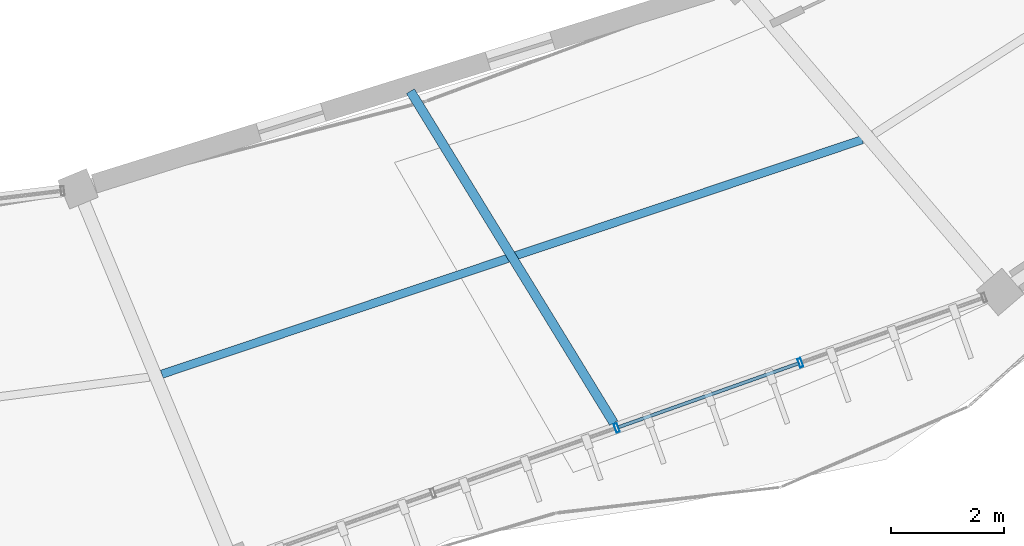
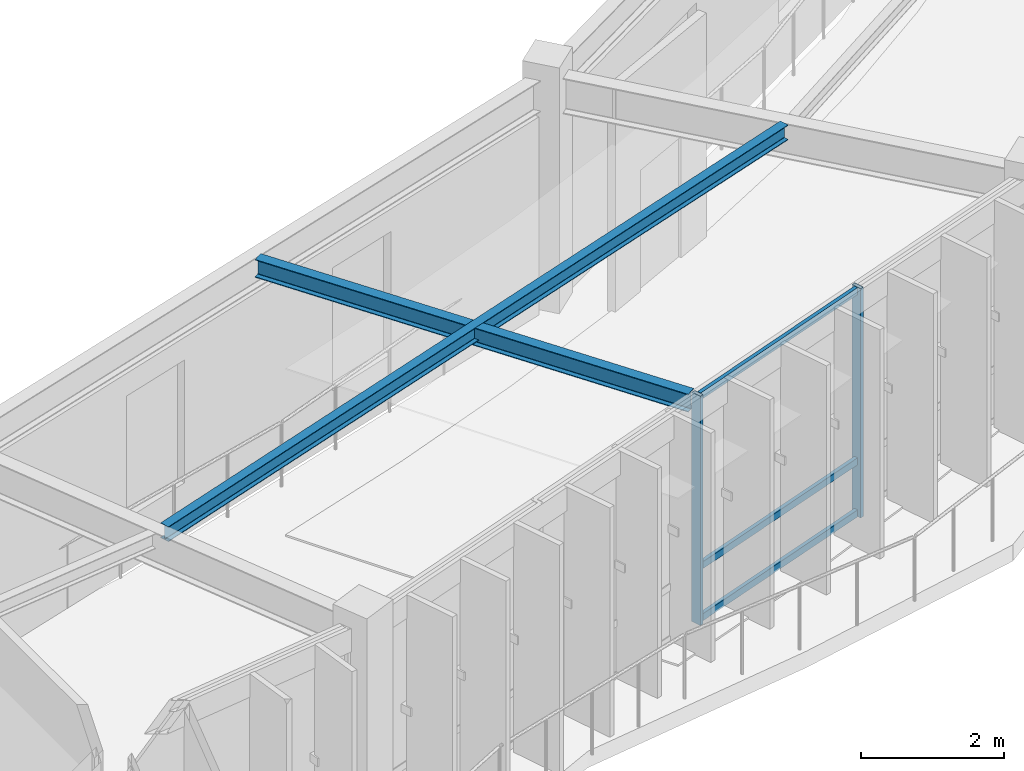
# One storey, part 34 of 83: 5 members, 2 beams, 1 element without a shape of its own.
"""IFC4 building model written with IfcOpenShell, lengths in metres."""

from ifc_helpers import new_model, si_unit, direction, frame, origin, origin_2d, place, context, subcontext, project, spatial, hollow_rectangle, i_section, extrude, material, material_profile, profile_set, type_object, element, aggregate, save


model = new_model("IFC4")

# Units and contexts
model_context = context("Model", 3, precision=1e-05, world=origin(), true_north=direction((0.0, 1.0)))
body_context = subcontext(model_context, "Body", "Model", "MODEL_VIEW")
ifc_project = project(units=[si_unit("LENGTHUNIT", "METRE"), si_unit("AREAUNIT", "SQUARE_METRE"), si_unit("VOLUMEUNIT", "CUBIC_METRE"), si_unit("PLANEANGLEUNIT", "RADIAN"), si_unit("MASSUNIT", "GRAM", prefix="KILO"), si_unit("THERMODYNAMICTEMPERATUREUNIT", "KELVIN"), si_unit("POWERUNIT", "WATT")], contexts=[model_context])

# Site, building, storey
site_placement = place(None, origin())
site = spatial("IfcSite", under=ifc_project, at=site_placement, CompositionType="ELEMENT")
building_placement = place(site_placement, origin())
building = spatial("IfcBuilding", under=site, at=building_placement, Name="Darbajah Civic Hall", CompositionType="ELEMENT")
storey_placement = place(building_placement, frame((0.0, 0.0, 18.0)))
storey = spatial("IfcBuildingStorey", under=building, at=storey_placement, Name="L04", CompositionType="ELEMENT", Elevation=18.0)

# Curtain wall, members
ifc_material_1 = material(Name="Anodised Bronze Aluminium and Low-E Glazing", Category="aluminium")
curtain_wall_type = type_object("IfcCurtainWallType", Name="Unitised Curtain Wall CW-62 13800x3900", PredefinedType="USERDEFINED", material=ifc_material_1)
curtain_wall_placement = place(storey_placement, origin())
curtain_wall = element("IfcCurtainWall", 1, at=curtain_wall_placement, inside=storey, type_object=curtain_wall_type, Name="L04 unitised curtain wall CW-V1O-L04-16", ObjectType="UNITISED CURTAIN WALL", PredefinedType="USERDEFINED")
ifc_material_2 = material(Name="Anodised Bronze Aluminium", Category="aluminium")
ifc_material_profile_1 = material_profile(ifc_material_2, hollow_rectangle(XDim=0.06005859375, YDim=0.159912109375, WallThickness=0.00341796875, at=origin_2d()), Name="ALU MULLION 60x160")
ifc_profile_set_1 = profile_set([ifc_material_profile_1], Name="Anodised Bronze Aluminium")
member_type_1 = type_object("IfcMemberType", Name="ALU MULLION 60x160", PredefinedType="MULLION", material=ifc_profile_set_1)
member_1_placement = place(storey_placement, frame((115.41943359375, 64.956787109375, 0.0), z_axis=(0.0, 0.0, 1.0), x_axis=(0.94252491309, 0.334135882844, 0.0)))
member_1 = element("IfcMember", 2, at=member_1_placement, type_object=member_type_1, Name="CW-V1O-L04-16 mullion 3", PredefinedType="MULLION", context=body_context, shape_type="SweptSolid", body=[
    extrude(hollow_rectangle(XDim=0.06005859375, YDim=0.159912109375, WallThickness=0.00341796875, at=origin_2d()), origin(), (0.0, 0.0, 1.0), 3.919921875),
])
member_2_placement = place(storey_placement, frame((118.67822265625, 66.11181640625, 0.0), z_axis=(0.0, 0.0, 1.0), x_axis=(0.94252491309, 0.334135882844, 0.0)))
member_2 = element("IfcMember", 3, at=member_2_placement, type_object=member_type_1, Name="CW-V1O-L04-16 mullion 4", PredefinedType="MULLION", context=body_context, shape_type="SweptSolid", body=[
    extrude(hollow_rectangle(XDim=0.06005859375, YDim=0.159912109375, WallThickness=0.00341796875, at=origin_2d()), origin(), (0.0, 0.0, 1.0), 3.919921875),
])
ifc_material_profile_2 = material_profile(ifc_material_2, hollow_rectangle(XDim=0.06005859375, YDim=0.1201171875, WallThickness=0.003173828125, at=origin_2d()), Name="ALU TRANSOM 60x120")
ifc_profile_set_2 = profile_set([ifc_material_profile_2], Name="Anodised Bronze Aluminium")
member_type_2 = type_object("IfcMemberType", Name="ALU TRANSOM 60x120", PredefinedType="USERDEFINED", material=ifc_profile_set_2)
member_3_placement = place(storey_placement, frame((115.452392578125, 64.968505859375, 0.06005859375), z_axis=(0.942539786443, 0.334093925373, 0.0), x_axis=(-0.334093925373, 0.942539786443, 0.0)))
member_3 = element("IfcMember", 4, at=member_3_placement, type_object=member_type_2, Name="CW-V1O-L04-16 transom 3.1", ObjectType="TRANSOM", PredefinedType="USERDEFINED", context=body_context, shape_type="SweptSolid", body=[
    extrude(hollow_rectangle(XDim=0.06005859375, YDim=0.1201171875, WallThickness=0.003173828125, at=origin_2d()), origin(), (0.0, 0.0, 1.0), 3.3876953125),
])
member_4_placement = place(storey_placement, frame((115.452392578125, 64.968505859375, 0.949951171875), z_axis=(0.942539786443, 0.334093925373, 0.0), x_axis=(-0.334093925373, 0.942539786443, 0.0)))
member_4 = element("IfcMember", 5, at=member_4_placement, type_object=member_type_2, Name="CW-V1O-L04-16 transom 3.2", ObjectType="TRANSOM", PredefinedType="USERDEFINED", context=body_context, shape_type="SweptSolid", body=[
    extrude(hollow_rectangle(XDim=0.06005859375, YDim=0.1201171875, WallThickness=0.003173828125, at=origin_2d()), origin(), (0.0, 0.0, 1.0), 3.3876953125),
])
member_5_placement = place(storey_placement, frame((115.452392578125, 64.968505859375, 3.860107421875), z_axis=(0.942539786443, 0.334093925373, 0.0), x_axis=(-0.334093925373, 0.942539786443, 0.0)))
member_5 = element("IfcMember", 6, at=member_5_placement, type_object=member_type_2, Name="CW-V1O-L04-16 transom 3.3", ObjectType="TRANSOM", PredefinedType="USERDEFINED", context=body_context, shape_type="SweptSolid", body=[
    extrude(hollow_rectangle(XDim=0.06005859375, YDim=0.1201171875, WallThickness=0.003173828125, at=origin_2d()), origin(), (0.0, 0.0, 1.0), 3.3876953125),
])
aggregate(curtain_wall, [member_1, member_2, member_3, member_4, member_5])

# Beams
ifc_material_3 = material(Name="Steel S355JR", Category="steel")
ifc_material_profile_3 = material_profile(ifc_material_3, i_section(OverallWidth=0.146484375, OverallDepth=0.256103515625, WebThickness=0.00634765625, FlangeThickness=0.010986328125, FilletRadius=0.007568359375, at=origin_2d()), Name="UB 254x146x37")
ifc_profile_set_3 = profile_set([ifc_material_profile_3], Name="Steel S355JR")
beam_type_1 = type_object("IfcBeamType", Name="UB 254x146x37", PredefinedType="JOIST", material=ifc_profile_set_3)
beam_1_placement = place(storey_placement, frame((107.34912109375, 65.908447265625, 3.7919921875), z_axis=(0.948257615403, 0.317501960357, 0.0), x_axis=(-0.317501960357, 0.948257615403, 0.0)))
element("IfcBeam", 7, at=beam_1_placement, inside=storey, type_object=beam_type_1, Name="L04 beam SJ-254", PredefinedType="JOIST", context=body_context, shape_type="SweptSolid", body=[
    extrude(i_section(OverallWidth=0.146484375, OverallDepth=0.256103515625, WebThickness=0.00634765625, FlangeThickness=0.010986328125, FilletRadius=0.007568359375, at=origin_2d()), origin(), (0.0, 0.0, 1.0), 13.102783203125),
])
ifc_material_profile_4 = material_profile(ifc_material_3, i_section(OverallWidth=0.165771484375, OverallDepth=0.306640625, WebThickness=0.006591796875, FlangeThickness=0.01171875, FilletRadius=0.0087890625, at=origin_2d()), Name="UB 305x165x46")
ifc_profile_set_4 = profile_set([ifc_material_profile_4], Name="Steel S355JR")
beam_type_2 = type_object("IfcBeamType", Name="UB 305x165x46", PredefinedType="JOIST", material=ifc_profile_set_4)
beam_2_placement = place(storey_placement, frame((111.759033203125, 70.9296875, 3.7666015625), z_axis=(0.522523909848, -0.852624632319, 0.0), x_axis=(0.852624632319, 0.522523909848, 0.0)))
element("IfcBeam", 8, at=beam_2_placement, inside=storey, type_object=beam_type_2, Name="L04 beam SJ-305", PredefinedType="JOIST", context=body_context, shape_type="SweptSolid", body=[
    extrude(i_section(OverallWidth=0.165771484375, OverallDepth=0.306640625, WebThickness=0.006591796875, FlangeThickness=0.01171875, FilletRadius=0.0087890625, at=origin_2d()), origin(), (0.0, 0.0, 1.0), 6.9033203125),
])

save(model, "model.ifc")
